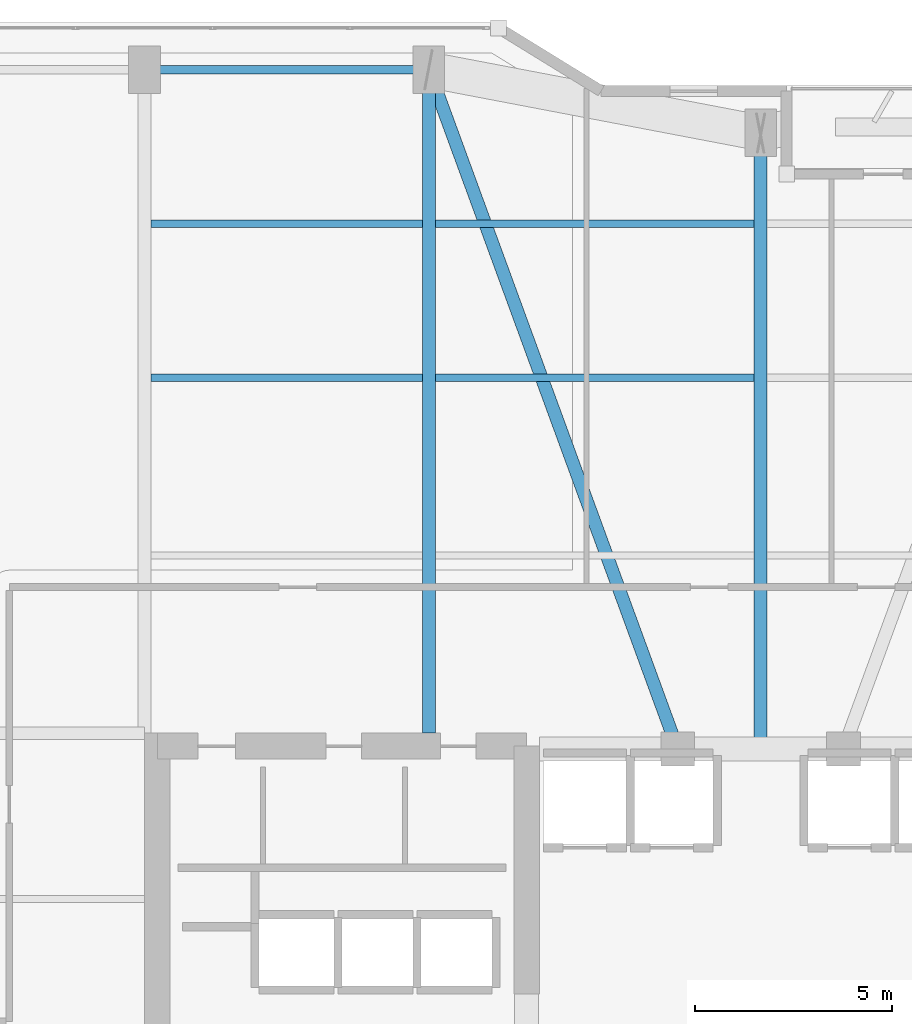
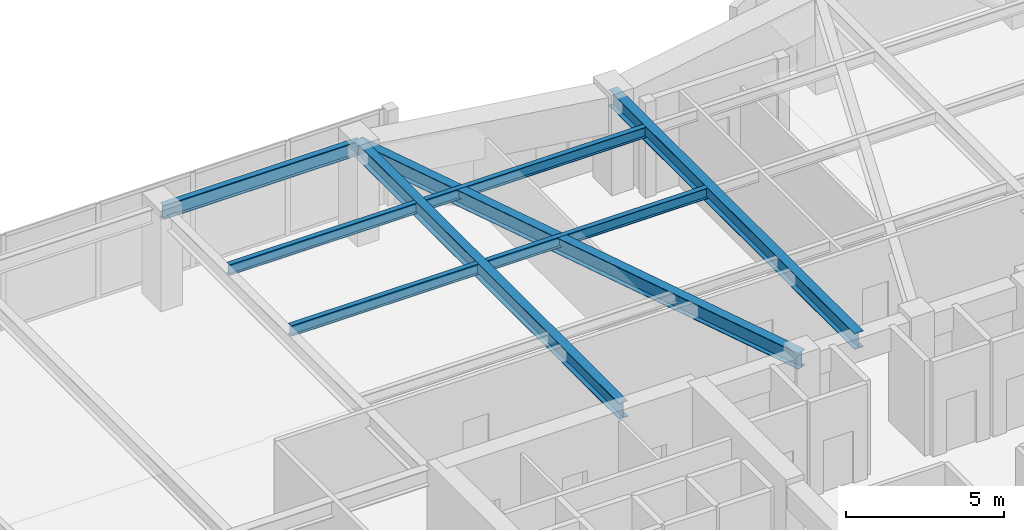
# One storey, part 18 of 30: 8 beams.
"""IFC4 building model written with IfcOpenShell, lengths in metres."""

import ifcopenshell
import ifcopenshell.guid

model = None  # the IFC model being written
_history = None  # IfcOwnerHistory: only IFC2X3 demands one
_inside = {}  # id of a spatial element -> (the spatial element, [elements in it])
_under = {}  # id of a project, library or spatial element -> (it, [spatial elements below it])
_declared = {}  # id of a project -> (the project, [libraries it declares])
_typed = {}  # id of a type object -> (the type object, [elements of that type])
_made_of = {}  # id of a material, layer set ... -> (it, [elements and type objects made of it])


def new_model(schema):
    """Start an empty IFC model of exactly this schema.

    Asked for "IFC4X3", IfcOpenShell would pick the latest addendum, in which some entities
    have other attributes; the version numbers below select the first issue.
    IFC2X3 requires an IfcOwnerHistory on every rooted entity: one is made here for all.
    """
    global model, _history
    if schema == "IFC4X3":
        model = ifcopenshell.file(schema_version=(4, 3, 0, 0))
    else:
        model = ifcopenshell.file(schema=schema)
    _inside.clear()
    _under.clear()
    _declared.clear()
    _typed.clear()
    _made_of.clear()
    _history = None
    if model.schema == "IFC2X3":
        org = make("IfcOrganization", Name="unknown")
        user = make(
            "IfcPersonAndOrganization",
            ThePerson=make("IfcPerson", FamilyName="unknown"),
            TheOrganization=org,
        )
        app = make(
            "IfcApplication",
            ApplicationDeveloper=org,
            Version="unknown",
            ApplicationFullName="unknown",
            ApplicationIdentifier="unknown",
        )
        _history = make(
            "IfcOwnerHistory",
            OwningUser=user,
            OwningApplication=app,
            ChangeAction="ADDED",
            CreationDate=0,
        )
    return model


def make(cls, **values):
    """One entity of the class cls with the attributes given. An attribute that is None is left unset."""
    return model.create_entity(
        cls, **{name: value for name, value in values.items() if value is not None}
    )


def rooted(cls, **values):
    """An entity with a GlobalId (a new one), such as an element, a storey or a relation."""
    return make(cls, GlobalId=ifcopenshell.guid.new(), OwnerHistory=_history, **values)


def si_unit(unit_type, name, prefix=None):
    """IfcSIUnit, for example si_unit("LENGTHUNIT", "METRE", prefix="MILLI")."""
    return make("IfcSIUnit", UnitType=unit_type, Prefix=prefix, Name=name)


def assignment(units):
    """IfcUnitAssignment: the units of a project."""
    return None if units is None else make("IfcUnitAssignment", Units=units)


def point(xyz):
    """IfcCartesianPoint."""
    return None if xyz is None else make("IfcCartesianPoint", Coordinates=xyz)


def direction(xyz):
    """IfcDirection."""
    return None if xyz is None else make("IfcDirection", DirectionRatios=xyz)


def frame(location, z_axis=None, x_axis=None):
    """IfcAxis2Placement3D, a coordinate frame: its origin and axes. An axis left out is left unset."""
    return make(
        "IfcAxis2Placement3D",
        Location=point(location),
        Axis=direction(z_axis),
        RefDirection=direction(x_axis),
    )


def frame_2d(location, x_axis=None):
    """IfcAxis2Placement2D, a coordinate frame in the plane: its origin and x axis."""
    return make(
        "IfcAxis2Placement2D", Location=point(location), RefDirection=direction(x_axis)
    )


def origin():
    """The frame at (0, 0, 0) with its axes left unset."""
    return frame((0.0, 0.0, 0.0))


def origin_2d():
    """The frame at (0, 0) in the plane with its x axis left unset."""
    return frame_2d((0.0, 0.0))


def place(relative_to, where):
    """IfcLocalPlacement: puts the frame where relative to a parent placement (None: the world)."""
    return make(
        "IfcLocalPlacement", PlacementRelTo=relative_to, RelativePlacement=where
    )


def context(
    kind, dimensions, precision=None, world=None, true_north=None, identifier=None
):
    """IfcGeometricRepresentationContext, for example the 3D "Model" context."""
    return make(
        "IfcGeometricRepresentationContext",
        ContextIdentifier=identifier,
        ContextType=kind,
        CoordinateSpaceDimension=dimensions,
        Precision=precision,
        WorldCoordinateSystem=world,
        TrueNorth=true_north,
    )


def subcontext(parent, identifier, kind, view, scale=None):
    """IfcGeometricRepresentationSubContext, for example "Body" below "Model"."""
    return make(
        "IfcGeometricRepresentationSubContext",
        ContextIdentifier=identifier,
        ContextType=kind,
        ParentContext=parent,
        TargetScale=scale,
        TargetView=view,
    )


def project(units=None, contexts=None):
    """IfcProject with its units and contexts."""
    return rooted(
        "IfcProject",
        Name="project",
        RepresentationContexts=contexts,
        UnitsInContext=assignment(units),
    )


def spatial(cls, under=None, at=None, **own):
    """A site, building, storey or space (cls), placed at a placement, below another one or the project."""
    s = rooted(cls, ObjectPlacement=at, **own)
    if under is not None:
        _under.setdefault(under.id(), (under, []))[1].append(s)
    return s


def profile(cls, at=None, kind="AREA", **sizes):
    """A parametric profile (cls). Its sizes go by their IFC names, for example OverallWidth=200.0."""
    return make(cls, ProfileType=kind, Position=at, **sizes)


def i_section(**sizes):
    """IfcIShapeProfileDef."""
    return profile("IfcIShapeProfileDef", **sizes)


def extrude(swept, where, along, depth):
    """IfcExtrudedAreaSolid: the profile swept, set in the frame where, extruded along a direction by depth."""
    return make(
        "IfcExtrudedAreaSolid",
        SweptArea=swept,
        Position=where,
        ExtrudedDirection=direction(along),
        Depth=depth,
    )


def shape(context_of_items, identifier, shape_type, items):
    """IfcShapeRepresentation: the items that make up one representation, for example the "Body"."""
    return make(
        "IfcShapeRepresentation",
        ContextOfItems=context_of_items,
        RepresentationIdentifier=identifier,
        RepresentationType=shape_type,
        Items=items,
    )


def material(Name=None, Category=None):
    """IfcMaterial."""
    return make("IfcMaterial", Name=Name, Category=Category)


def material_profile(
    of_material, cross_section, Name=None, Category=None, Priority=None
):
    """IfcMaterialProfile: a cross section and its material."""
    return make(
        "IfcMaterialProfile",
        Name=Name,
        Material=of_material,
        Profile=cross_section,
        Priority=Priority,
        Category=Category,
    )


def profile_set(profiles, Name=None, composite=None):
    """IfcMaterialProfileSet."""
    return make(
        "IfcMaterialProfileSet",
        Name=Name,
        MaterialProfiles=profiles,
        CompositeProfile=composite,
    )


def made_of(thing, what):
    """Note that an element or type object is made of a material, layer set ...; save() writes the relation."""
    if what is not None:
        _made_of.setdefault(what.id(), (what, []))[1].append(thing)
    return thing


def type_object(cls, material=None, **own):
    """A type object (cls), such as IfcWallType, which elements share."""
    return made_of(rooted(cls, **own), material)


def element(
    cls,
    number,
    at=None,
    inside=None,
    cuts=None,
    type_object=None,
    material=None,
    context=None,
    identifier="Body",
    shape_type=None,
    held_by="IfcProductDefinitionShape",
    body=None,
    shapes=None,
    **own,
):
    """One element of the class cls, such as IfcWall. Its Tag is "e" and its number.

    at: its placement. inside: the storey or other place that contains it. cuts: it is an
    opening in that element (IfcRelVoidsElement). A single representation is given by context,
    identifier, shape_type and body (its items); several are given by shapes. held_by: the class
    of the entity that holds the representations. save() writes the other relations.
    """
    e = rooted(cls, Tag="e%d" % number, ObjectPlacement=at, **own)
    if body is not None:
        shapes = [shape(context, identifier, shape_type, body)]
    if shapes is not None:
        e.Representation = make(held_by, Representations=shapes)
    if inside is not None:
        _inside.setdefault(inside.id(), (inside, []))[1].append(e)
    if cuts is not None:
        rooted(
            "IfcRelVoidsElement", RelatingBuildingElement=cuts, RelatedOpeningElement=e
        )
    if type_object is not None:
        _typed.setdefault(type_object.id(), (type_object, []))[1].append(e)
    return made_of(e, material)


def aggregate(whole, parts):
    """IfcRelAggregates: a whole, such as a stair, and the parts it consists of."""
    return rooted("IfcRelAggregates", RelatingObject=whole, RelatedObjects=parts)


def save(model, path):
    """Write the relations noted so far, then the file.

    IfcRelAggregates (storeys below a building ...), IfcRelContainedInSpatialStructure (elements
    in a storey), IfcRelDefinesByType, IfcRelAssociatesMaterial and IfcRelDeclares: one each for
    every whole, place, type object, material and project.
    """
    for whole, parts in _under.values():
        aggregate(whole, parts)
    for where, things in _inside.values():
        rooted(
            "IfcRelContainedInSpatialStructure",
            RelatedElements=things,
            RelatingStructure=where,
        )
    for kind, things in _typed.values():
        rooted("IfcRelDefinesByType", RelatedObjects=things, RelatingType=kind)
    for what, things in _made_of.values():
        rooted("IfcRelAssociatesMaterial", RelatedObjects=things, RelatingMaterial=what)
    for by, libraries in _declared.values():
        rooted("IfcRelDeclares", RelatingContext=by, RelatedDefinitions=libraries)
    model.write(path)


model = new_model("IFC4")

# Units and contexts
model_context = context("Model", 3, precision=1e-05, world=origin(), true_north=direction((0.0, 1.0)))
body_context = subcontext(model_context, "Body", "Model", "MODEL_VIEW")
ifc_project = project(units=[si_unit("LENGTHUNIT", "METRE"), si_unit("AREAUNIT", "SQUARE_METRE"), si_unit("VOLUMEUNIT", "CUBIC_METRE"), si_unit("PLANEANGLEUNIT", "RADIAN"), si_unit("MASSUNIT", "GRAM", prefix="KILO")], contexts=[model_context])

# Site, building, storey
site_placement = place(None, origin())
site = spatial("IfcSite", under=ifc_project, at=site_placement, CompositionType="ELEMENT")
building_placement = place(site_placement, origin())
building = spatial("IfcBuilding", under=site, at=building_placement, Name="Kiyonajd Concourse Tower", CompositionType="ELEMENT")
storey_placement = place(building_placement, frame((0.0, 0.0, 201.89990234375)))
storey = spatial("IfcBuildingStorey", under=building, at=storey_placement, Name="L51", CompositionType="ELEMENT", Elevation=201.89990234375)

# Beams
ifc_material = material(Name="Steel ASTM A992 Grade 50", Category="steel")
ifc_material_profile_1 = material_profile(ifc_material, i_section(OverallWidth=0.180908203125, OverallDepth=0.4169921875, WebThickness=0.010986328125, FlangeThickness=0.018310546875, at=origin_2d()), Name="W410X85")
ifc_profile_set_1 = profile_set([ifc_material_profile_1], Name="Steel ASTM A992 Grade 50")
beam_type_1 = type_object("IfcBeamType", Name="BM-JST-410", PredefinedType="JOIST", material=ifc_profile_set_1)
beam_1_placement = place(storey_placement, frame((32.5634765625, 53.39990234375, 3.4716796875), z_axis=(1.0, 0.0, 0.0), x_axis=(0.0, 1.0, 0.0)))
element("IfcBeam", 1, at=beam_1_placement, inside=storey, type_object=beam_type_1, Name="L51 Secondary Floor Joist", PredefinedType="JOIST", context=body_context, shape_type="SweptSolid", body=[
    extrude(i_section(OverallWidth=0.180908203125, OverallDepth=0.4169921875, WebThickness=0.010986328125, FlangeThickness=0.018310546875, at=origin_2d()), origin(), (0.0, 0.0, 1.0), 6.873046875),
])
beam_2_placement = place(storey_placement, frame((39.763427734375, 53.39990234375, 3.4716796875), z_axis=(1.0, 0.0, 0.0), x_axis=(0.0, 1.0, 0.0)))
element("IfcBeam", 2, at=beam_2_placement, inside=storey, type_object=beam_type_1, Name="L51 Secondary Floor Joist", PredefinedType="JOIST", context=body_context, shape_type="SweptSolid", body=[
    extrude(i_section(OverallWidth=0.180908203125, OverallDepth=0.4169921875, WebThickness=0.010986328125, FlangeThickness=0.018310546875, at=origin_2d()), origin(), (0.0, 0.0, 1.0), 8.072998046875),
])
beam_3_placement = place(storey_placement, frame((32.5634765625, 57.300048828125, 3.4716796875), z_axis=(1.0, 0.0, 0.0), x_axis=(0.0, 1.0, 0.0)))
element("IfcBeam", 3, at=beam_3_placement, inside=storey, type_object=beam_type_1, Name="L51 Secondary Floor Joist", PredefinedType="JOIST", context=body_context, shape_type="SweptSolid", body=[
    extrude(i_section(OverallWidth=0.180908203125, OverallDepth=0.4169921875, WebThickness=0.010986328125, FlangeThickness=0.018310546875, at=origin_2d()), origin(), (0.0, 0.0, 1.0), 6.873046875),
])
beam_4_placement = place(storey_placement, frame((39.763427734375, 57.300048828125, 3.4716796875), z_axis=(1.0, 0.0, 0.0), x_axis=(0.0, 1.0, 0.0)))
element("IfcBeam", 4, at=beam_4_placement, inside=storey, type_object=beam_type_1, Name="L51 Secondary Floor Joist", PredefinedType="JOIST", context=body_context, shape_type="SweptSolid", body=[
    extrude(i_section(OverallWidth=0.180908203125, OverallDepth=0.4169921875, WebThickness=0.010986328125, FlangeThickness=0.018310546875, at=origin_2d()), origin(), (0.0, 0.0, 1.0), 8.072998046875),
])
ifc_material_profile_2 = material_profile(ifc_material, i_section(OverallWidth=0.214111328125, OverallDepth=0.549072265625, WebThickness=0.0146484375, FlangeThickness=0.023681640625, at=origin_2d()), Name="W530X138")
ifc_profile_set_2 = profile_set([ifc_material_profile_2], Name="Steel ASTM A992 Grade 50")
beam_type_2 = type_object("IfcBeamType", Name="BM-SPAN-530A", PredefinedType="SPANDREL", material=ifc_profile_set_2)
beam_5_placement = place(storey_placement, frame((39.60009765625, 61.199951171875, 3.405517578125), z_axis=(-1.0, 0.0, 0.0), x_axis=(0.0, -1.0, 0.0)))
element("IfcBeam", 5, at=beam_5_placement, inside=storey, type_object=beam_type_2, Name="L51 Perimeter Bundled Tube Spandrel", PredefinedType="SPANDREL", context=body_context, shape_type="SweptSolid", body=[
    extrude(i_section(OverallWidth=0.214111328125, OverallDepth=0.549072265625, WebThickness=0.0146484375, FlangeThickness=0.023681640625, at=origin_2d()), origin(), (0.0, 0.0, 1.0), 7.2001953125),
])
ifc_material_profile_3 = material_profile(ifc_material, i_section(OverallWidth=0.326904296875, OverallDepth=0.6220703125, WebThickness=0.015380859375, FlangeThickness=0.0244140625, at=origin_2d()), Name="W610X195")
ifc_profile_set_3 = profile_set([ifc_material_profile_3], Name="Steel ASTM A992 Grade 50")
beam_type_3 = type_object("IfcBeamType", Name="BM-TWR-610A", PredefinedType="BEAM", material=ifc_profile_set_3)
beam_6_placement = place(storey_placement, frame((39.60009765625, 61.199951171875, 3.369140625), z_axis=(0.343925269715, -0.938997022813, 0.0), x_axis=(0.938997022813, 0.343925269715, 0.0)))
element("IfcBeam", 6, at=beam_6_placement, inside=storey, type_object=beam_type_3, Name="L51 Core Tie Girder", PredefinedType="BEAM", context=body_context, shape_type="SweptSolid", body=[
    extrude(i_section(OverallWidth=0.326904296875, OverallDepth=0.6220703125, WebThickness=0.015380859375, FlangeThickness=0.0244140625, at=origin_2d()), origin(), (0.0, 0.0, 1.0), 18.3173828125),
])
beam_7_placement = place(storey_placement, frame((39.60009765625, 44.39990234375, 3.369140625), z_axis=(0.0, 1.0, 0.0), x_axis=(-1.0, 0.0, 0.0)))
element("IfcBeam", 7, at=beam_7_placement, inside=storey, type_object=beam_type_3, Name="L51 North Lease Girder", PredefinedType="BEAM", context=body_context, shape_type="SweptSolid", body=[
    extrude(i_section(OverallWidth=0.326904296875, OverallDepth=0.6220703125, WebThickness=0.015380859375, FlangeThickness=0.0244140625, at=origin_2d()), origin(), (0.0, 0.0, 1.0), 16.800048828125),
])
beam_8_placement = place(storey_placement, frame((48.0, 44.0, 3.369140625), z_axis=(0.0, 1.0, 0.0), x_axis=(-1.0, 0.0, 0.0)))
element("IfcBeam", 8, at=beam_8_placement, inside=storey, type_object=beam_type_3, Name="L51 North Ribbon Girder", PredefinedType="BEAM", context=body_context, shape_type="SweptSolid", body=[
    extrude(i_section(OverallWidth=0.326904296875, OverallDepth=0.6220703125, WebThickness=0.015380859375, FlangeThickness=0.0244140625, at=origin_2d()), origin(), (0.0, 0.0, 1.0), 15.60009765625),
])

save(model, "model.ifc")
